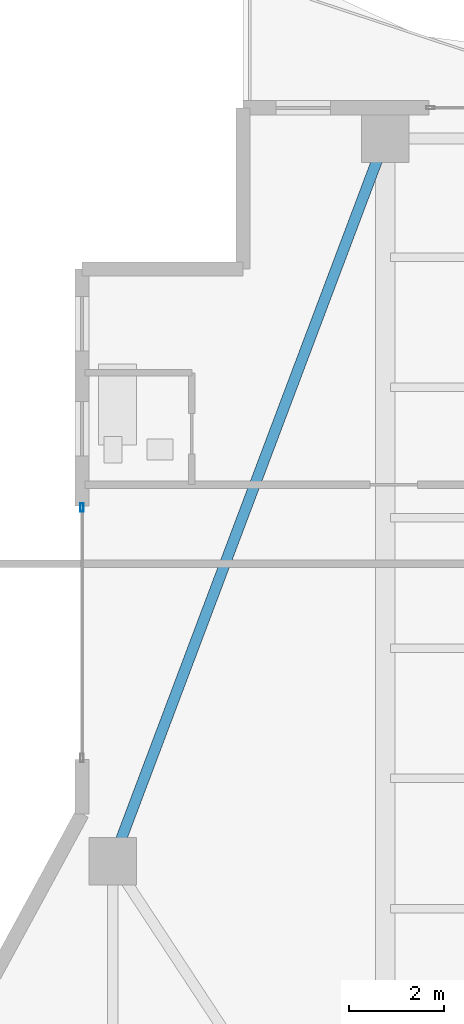
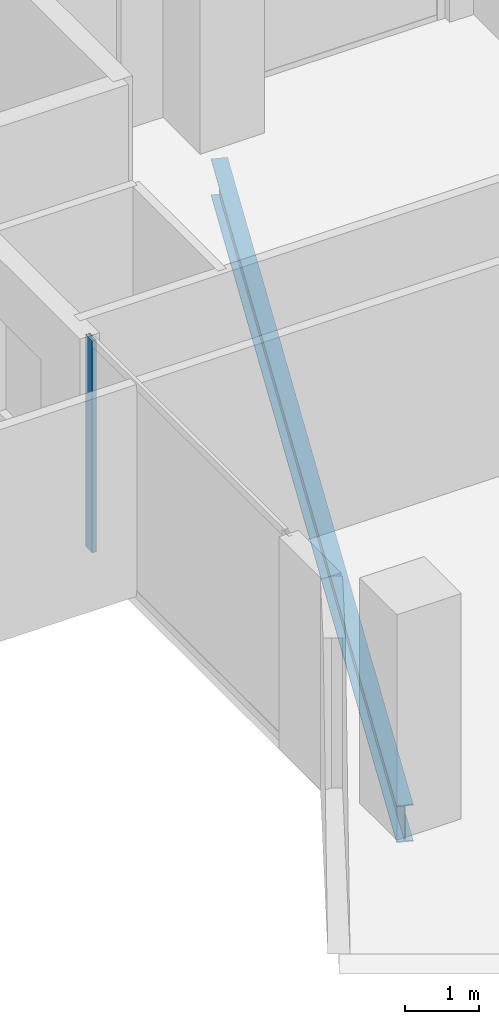
# One storey, part 12 of 24: 1 beam, 1 member, 1 element without a shape of its own.
"""IFC4 building model written with IfcOpenShell, lengths in metres."""

from ifc_helpers import new_model, si_unit, direction, frame, origin, origin_2d, place, context, subcontext, project, spatial, hollow_rectangle, i_section, extrude, material, layer, layer_set, material_profile, profile_set, type_object, element, aggregate, save


model = new_model("IFC4")

# Units and contexts
model_context = context("Model", 3, precision=1e-05, world=origin(), true_north=direction((0.0, 1.0)))
body_context = subcontext(model_context, "Body", "Model", "MODEL_VIEW")
ifc_project = project(units=[si_unit("LENGTHUNIT", "METRE"), si_unit("AREAUNIT", "SQUARE_METRE"), si_unit("VOLUMEUNIT", "CUBIC_METRE"), si_unit("PLANEANGLEUNIT", "RADIAN"), si_unit("MASSUNIT", "GRAM", prefix="KILO")], contexts=[model_context])

# Site, building, storey
site_placement = place(None, origin())
site = spatial("IfcSite", under=ifc_project, at=site_placement, CompositionType="ELEMENT")
building_placement = place(site_placement, origin())
building = spatial("IfcBuilding", under=site, at=building_placement, Name="Zuhayl Quay Hotel", CompositionType="ELEMENT")
storey_placement = place(building_placement, frame((0.0, 0.0, 280.35009765625)))
storey = spatial("IfcBuildingStorey", under=building, at=storey_placement, Name="L71", CompositionType="ELEMENT", Elevation=280.35009765625)

# Beam
ifc_material_1 = material(Name="Steel ASTM A992 Grade 50", Category="steel")
ifc_material_profile_1 = material_profile(ifc_material_1, i_section(OverallWidth=0.22802734375, OverallDepth=0.60693359375, WebThickness=0.01123046875, FlangeThickness=0.017333984375, at=origin_2d()), Name="W24X76")
ifc_profile_set_1 = profile_set([ifc_material_profile_1], Name="Steel ASTM A992 Grade 50")
beam_type = type_object("IfcBeamType", Name="BM_B3_W24X76", PredefinedType="BEAM", material=ifc_profile_set_1)
beam_placement = place(storey_placement, frame((-13.96240234375, 37.919677734375, -0.523681640625), z_axis=(-0.352796603103, -0.935700035716, 0.0), x_axis=(0.935700035716, -0.352796603103, 0.0)))
element("IfcBeam", 1, at=beam_placement, inside=storey, type_object=beam_type, Name="L71 Floor Beam RG_L71_10", PredefinedType="BEAM", context=body_context, shape_type="SweptSolid", body=[
    extrude(i_section(OverallWidth=0.22802734375, OverallDepth=0.60693359375, WebThickness=0.01123046875, FlangeThickness=0.017333984375, at=origin_2d()), origin(), (0.0, 0.0, 1.0), 15.3779296875),
])

# Curtain wall, member
ifc_material_2 = material(Name="Anodised Aluminium 6063-T6", Category="aluminium")
ifc_layer = layer(ifc_material_2, 0.169921875, Name="Anodised Aluminium 6063-T6", Category="aluminium")
ifc_layer_set = layer_set([ifc_layer], Name="Anodised Aluminium 6063-T6")
curtain_wall_type = type_object("IfcCurtainWallType", Name="CW_SYS_Z4", PredefinedType="USERDEFINED", material=ifc_layer_set)
curtain_wall_placement = place(storey_placement, origin())
curtain_wall = element("IfcCurtainWall", 2, at=curtain_wall_placement, inside=storey, type_object=curtain_wall_type, Name="L71 Curtain Wall ENV_L71_E05_CW1", ObjectType="UNITISED CURTAIN WALL", PredefinedType="USERDEFINED")
ifc_material_3 = material(Name="Black-anodised aluminium 6063-T6", Category="aluminium")
ifc_material_profile_2 = material_profile(ifc_material_3, hollow_rectangle(XDim=0.06494140625, YDim=0.179931640625, WallThickness=0.00341796875, at=origin_2d()), Name="ALU180X65")
ifc_profile_set_2 = profile_set([ifc_material_profile_2], Name="Black-anodised aluminium 6063-T6")
member_type = type_object("IfcMemberType", Name="MB_CW_MUL_180", PredefinedType="MULLION", material=ifc_profile_set_2)
member_placement = place(storey_placement, frame((-20.199951171875, 30.5673828125, 0.0), z_axis=(0.0, 0.0, 1.0), x_axis=(-1.0, 0.0, 0.0)))
member = element("IfcMember", 3, at=member_placement, type_object=member_type, Name="CW-Z4 mullion 2", PredefinedType="MULLION", context=body_context, shape_type="SweptSolid", body=[
    extrude(hollow_rectangle(XDim=0.06494140625, YDim=0.179931640625, WallThickness=0.00341796875, at=origin_2d()), origin(), (0.0, 0.0, 1.0), 3.47998046875),
])
aggregate(curtain_wall, [member])

save(model, "model.ifc")
